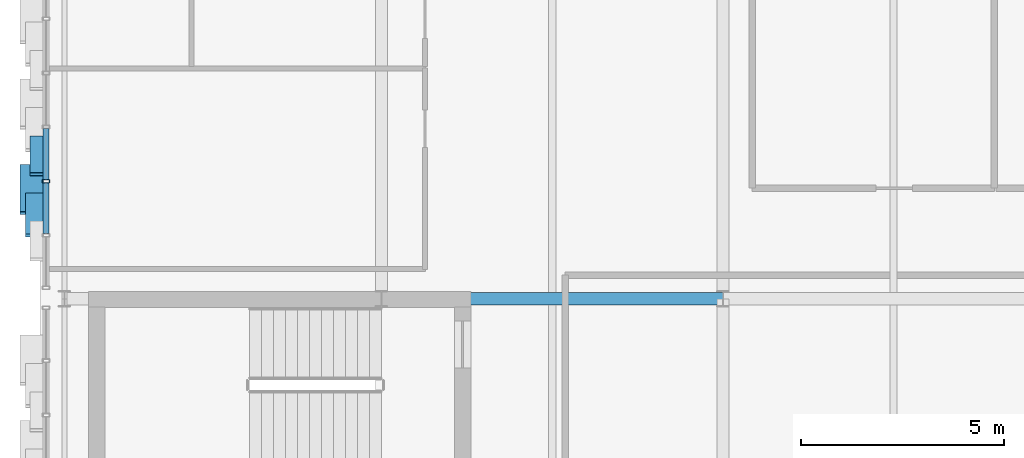
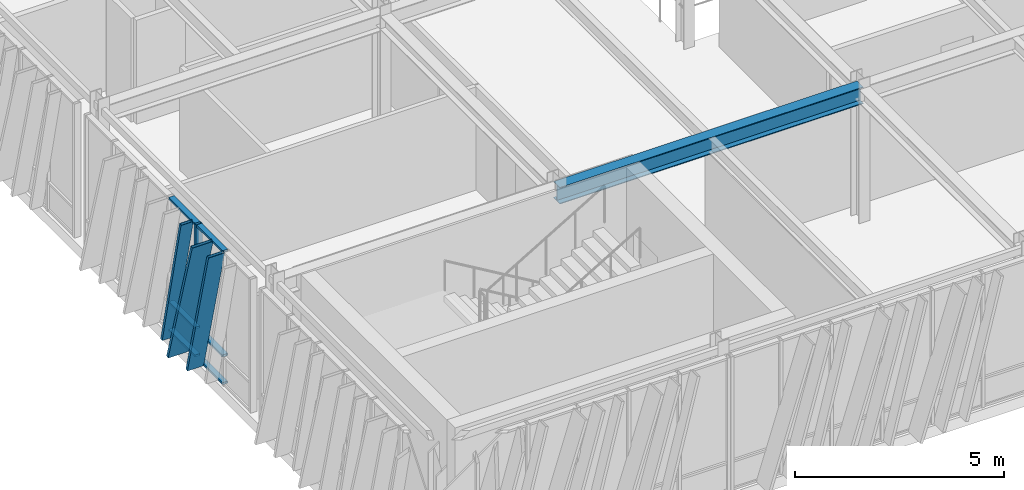
# One storey, part 35 of 127: 10 members, 1 beam, 1 element without a shape of its own.
"""IFC4 building model written with IfcOpenShell, lengths in metres."""

from ifc_helpers import new_model, si_unit, direction, frame, origin, origin_2d, place, context, subcontext, project, spatial, hollow_rectangle, i_section, extrude, material, layer, layer_set, material_profile, profile_set, type_object, element, aggregate, save


model = new_model("IFC4")

# Units and contexts
model_context = context("Model", 3, precision=1e-05, world=origin(), true_north=direction((0.0, 1.0)))
body_context = subcontext(model_context, "Body", "Model", "MODEL_VIEW")
ifc_project = project(units=[si_unit("LENGTHUNIT", "METRE"), si_unit("AREAUNIT", "SQUARE_METRE"), si_unit("VOLUMEUNIT", "CUBIC_METRE"), si_unit("PLANEANGLEUNIT", "RADIAN"), si_unit("MASSUNIT", "GRAM", prefix="KILO")], contexts=[model_context])

# Site, building, storey
site_placement = place(None, origin())
site = spatial("IfcSite", under=ifc_project, at=site_placement, CompositionType="ELEMENT")
building_placement = place(site_placement, origin())
building = spatial("IfcBuilding", under=site, at=building_placement, Name="Zayran Congress Hotel", CompositionType="ELEMENT")
storey_placement = place(building_placement, frame((0.0, 0.0, 10.800048828125)))
storey = spatial("IfcBuildingStorey", under=building, at=storey_placement, Name="L02", CompositionType="ELEMENT", Elevation=10.800048828125)

# Beam
ifc_material_1 = material(Name="Steel S355", Category="steel")
ifc_material_profile_1 = material_profile(ifc_material_1, i_section(OverallWidth=0.300048828125, OverallDepth=0.489990234375, WebThickness=0.011962890625, FlangeThickness=0.02294921875, at=origin_2d()), Name="HEA 500")
ifc_profile_set_1 = profile_set([ifc_material_profile_1], Name="Steel S355")
beam_type = type_object("IfcBeamType", Name="TP-BM-05", PredefinedType="BEAM", material=ifc_profile_set_1)
beam_placement = place(storey_placement, frame((16.800048828125, 76.0, 3.675048828125), z_axis=(1.0, 0.0, 0.0), x_axis=(0.0, 1.0, 0.0)))
element("IfcBeam", 1, at=beam_placement, inside=storey, type_object=beam_type, Name="BM-V1-L02-0663", PredefinedType="BEAM", context=body_context, shape_type="SweptSolid", body=[
    extrude(i_section(OverallWidth=0.300048828125, OverallDepth=0.489990234375, WebThickness=0.011962890625, FlangeThickness=0.02294921875, at=origin_2d()), origin(), (0.0, 0.0, 1.0), 8.39990234375),
])

# Curtain wall, members
ifc_material_2 = material(Name="Anodised aluminium and low-E insulated glass", Category="aluminium")
ifc_layer = layer(ifc_material_2, 0.179931640625)
ifc_layer_set = layer_set([ifc_layer], Name="Anodised aluminium and low-E insulated glass")
curtain_wall_type = type_object("IfcCurtainWallType", Name="CW-V1W-L02-CW-32-7990-3920", PredefinedType="USERDEFINED", material=ifc_layer_set)
curtain_wall_placement = place(storey_placement, origin())
curtain_wall = element("IfcCurtainWall", 2, at=curtain_wall_placement, inside=storey, type_object=curtain_wall_type, Name="CW-V1W-L02-1", ObjectType="CURTAIN WALL", PredefinedType="USERDEFINED")
ifc_material_3 = material(Name="Anodised aluminium framing", Category="aluminium")
ifc_material_profile_2 = material_profile(ifc_material_3, hollow_rectangle(XDim=0.080078125, YDim=0.179931640625, WallThickness=0.0048828125, at=origin_2d()), Name="RHS 180x80x5")
ifc_profile_set_2 = profile_set([ifc_material_profile_2], Name="Anodised aluminium framing")
member_type_1 = type_object("IfcMemberType", Name="TP-CWM-01", PredefinedType="MULLION", material=ifc_profile_set_2)
member_1_placement = place(storey_placement, frame((8.550048828125, 78.893310546875, 0.0), z_axis=(0.0, 0.0, 1.0), x_axis=(0.0, 1.0, 0.0)))
member_1 = element("IfcMember", 3, at=member_1_placement, type_object=member_type_1, Name="CW-V1W-L02-1-M04", PredefinedType="MULLION", context=body_context, shape_type="SweptSolid", body=[
    extrude(hollow_rectangle(XDim=0.080078125, YDim=0.179931640625, WallThickness=0.0048828125, at=origin_2d()), origin(), (0.0, 0.0, 1.0), 3.919921875),
])
ifc_material_profile_3 = material_profile(ifc_material_3, hollow_rectangle(XDim=0.06005859375, YDim=0.14990234375, WallThickness=0.00390625, at=origin_2d()), Name="RHS 150x60x4")
ifc_profile_set_3 = profile_set([ifc_material_profile_3], Name="Anodised aluminium framing")
member_type_2 = type_object("IfcMemberType", Name="TP-CWT-01", PredefinedType="USERDEFINED", material=ifc_profile_set_3)
member_2_placement = place(storey_placement, frame((8.550048828125, 80.18505859375, 0.030029296875), z_axis=(0.0, -1.0, 0.0), x_axis=(0.0, 0.0, 1.0)))
member_2 = element("IfcMember", 4, at=member_2_placement, type_object=member_type_2, Name="CW-V1W-L02-1-T03-0", ObjectType="TRANSOM", PredefinedType="USERDEFINED", context=body_context, shape_type="SweptSolid", body=[
    extrude(hollow_rectangle(XDim=0.06005859375, YDim=0.14990234375, WallThickness=0.00390625, at=origin_2d()), origin(), (0.0, 0.0, 1.0), 1.251708984375),
])
member_3_placement = place(storey_placement, frame((8.550048828125, 80.18505859375, 0.83984375), z_axis=(0.0, -1.0, 0.0), x_axis=(0.0, 0.0, 1.0)))
member_3 = element("IfcMember", 5, at=member_3_placement, type_object=member_type_2, Name="CW-V1W-L02-1-T03-1", ObjectType="TRANSOM", PredefinedType="USERDEFINED", context=body_context, shape_type="SweptSolid", body=[
    extrude(hollow_rectangle(XDim=0.06005859375, YDim=0.14990234375, WallThickness=0.00390625, at=origin_2d()), origin(), (0.0, 0.0, 1.0), 1.251708984375),
])
member_4_placement = place(storey_placement, frame((8.550048828125, 80.18505859375, 3.889892578125), z_axis=(0.0, -1.0, 0.0), x_axis=(0.0, 0.0, 1.0)))
member_4 = element("IfcMember", 6, at=member_4_placement, type_object=member_type_2, Name="CW-V1W-L02-1-T03-2", ObjectType="TRANSOM", PredefinedType="USERDEFINED", context=body_context, shape_type="SweptSolid", body=[
    extrude(hollow_rectangle(XDim=0.06005859375, YDim=0.14990234375, WallThickness=0.00390625, at=origin_2d()), origin(), (0.0, 0.0, 1.0), 1.251708984375),
])
member_5_placement = place(storey_placement, frame((8.550048828125, 78.853271484375, 0.030029296875), z_axis=(0.0, -1.0, 0.0), x_axis=(0.0, 0.0, 1.0)))
member_5 = element("IfcMember", 7, at=member_5_placement, type_object=member_type_2, Name="CW-V1W-L02-1-T04-0", ObjectType="TRANSOM", PredefinedType="USERDEFINED", context=body_context, shape_type="SweptSolid", body=[
    extrude(hollow_rectangle(XDim=0.06005859375, YDim=0.14990234375, WallThickness=0.00390625, at=origin_2d()), origin(), (0.0, 0.0, 1.0), 1.25146484375),
])
member_6_placement = place(storey_placement, frame((8.550048828125, 78.853271484375, 0.83984375), z_axis=(0.0, -1.0, 0.0), x_axis=(0.0, 0.0, 1.0)))
member_6 = element("IfcMember", 8, at=member_6_placement, type_object=member_type_2, Name="CW-V1W-L02-1-T04-1", ObjectType="TRANSOM", PredefinedType="USERDEFINED", context=body_context, shape_type="SweptSolid", body=[
    extrude(hollow_rectangle(XDim=0.06005859375, YDim=0.14990234375, WallThickness=0.00390625, at=origin_2d()), origin(), (0.0, 0.0, 1.0), 1.25146484375),
])
member_7_placement = place(storey_placement, frame((8.550048828125, 78.853271484375, 3.889892578125), z_axis=(0.0, -1.0, 0.0), x_axis=(0.0, 0.0, 1.0)))
member_7 = element("IfcMember", 9, at=member_7_placement, type_object=member_type_2, Name="CW-V1W-L02-1-T04-2", ObjectType="TRANSOM", PredefinedType="USERDEFINED", context=body_context, shape_type="SweptSolid", body=[
    extrude(hollow_rectangle(XDim=0.06005859375, YDim=0.14990234375, WallThickness=0.00390625, at=origin_2d()), origin(), (0.0, 0.0, 1.0), 1.25146484375),
])
ifc_material_4 = material(Name="Warm bronze anodised aluminium", Category="aluminium")
ifc_material_profile_4 = material_profile(ifc_material_4, hollow_rectangle(XDim=0.080078125, YDim=0.580078125, WallThickness=0.006103515625, at=origin_2d()), Name="RHS 580x80x6")
ifc_profile_set_4 = profile_set([ifc_material_profile_4], Name="Warm bronze anodised aluminium")
member_type_3 = type_object("IfcMemberType", Name="TP-RFN-01", PredefinedType="MULLION", material=ifc_profile_set_4)
member_8_placement = place(storey_placement, frame((8.199951171875, 79.27001953125, 0.0), z_axis=(0.0, -0.28401513196, 0.958819797886), x_axis=(0.0, 0.958819797886, 0.28401513196)))
member_8 = element("IfcMember", 10, at=member_8_placement, type_object=member_type_3, Name="Slanting Reed Mullion CW-32-07", PredefinedType="MULLION", context=body_context, shape_type="SweptSolid", body=[
    extrude(hollow_rectangle(XDim=0.080078125, YDim=0.580078125, WallThickness=0.006103515625, at=origin_2d()), origin(), (0.0, 0.0, 1.0), 4.08837890625),
])
ifc_material_profile_5 = material_profile(ifc_material_4, hollow_rectangle(XDim=0.080078125, YDim=0.449951171875, WallThickness=0.006103515625, at=origin_2d()), Name="RHS 450x80x6")
ifc_profile_set_5 = profile_set([ifc_material_profile_5], Name="Warm bronze anodised aluminium")
member_type_4 = type_object("IfcMemberType", Name="TP-RFN-02", PredefinedType="MULLION", material=ifc_profile_set_5)
member_9_placement = place(storey_placement, frame((8.264892578125, 78.570068359375, 0.0), z_axis=(0.0, -0.250415952743, 0.968138342703), x_axis=(0.0, 0.968138342703, 0.250415952743)))
member_9 = element("IfcMember", 11, at=member_9_placement, type_object=member_type_4, Name="Slanting Reed Mullion CW-32-08", PredefinedType="MULLION", context=body_context, shape_type="SweptSolid", body=[
    extrude(hollow_rectangle(XDim=0.080078125, YDim=0.449951171875, WallThickness=0.006103515625, at=origin_2d()), origin(), (0.0, 0.0, 1.0), 4.048828125),
])
ifc_material_profile_6 = material_profile(ifc_material_4, hollow_rectangle(XDim=0.080078125, YDim=0.340087890625, WallThickness=0.006103515625, at=origin_2d()), Name="RHS 340x80x6")
ifc_profile_set_6 = profile_set([ifc_material_profile_6], Name="Warm bronze anodised aluminium")
member_type_5 = type_object("IfcMemberType", Name="TP-RFN-03", PredefinedType="MULLION", material=ifc_profile_set_6)
member_10_placement = place(storey_placement, frame((8.320068359375, 79.969970703125, 0.0), z_axis=(0.0, -0.224961443605, 0.974367666177), x_axis=(0.0, 0.974367666177, 0.224961443605)))
member_10 = element("IfcMember", 12, at=member_10_placement, type_object=member_type_5, Name="Slanting Reed Mullion CW-32-06", PredefinedType="MULLION", context=body_context, shape_type="SweptSolid", body=[
    extrude(hollow_rectangle(XDim=0.080078125, YDim=0.340087890625, WallThickness=0.006103515625, at=origin_2d()), origin(), (0.0, 0.0, 1.0), 4.02294921875),
])
aggregate(curtain_wall, [member_1, member_2, member_3, member_4, member_5, member_6, member_7, member_10, member_8, member_9])

save(model, "model.ifc")
